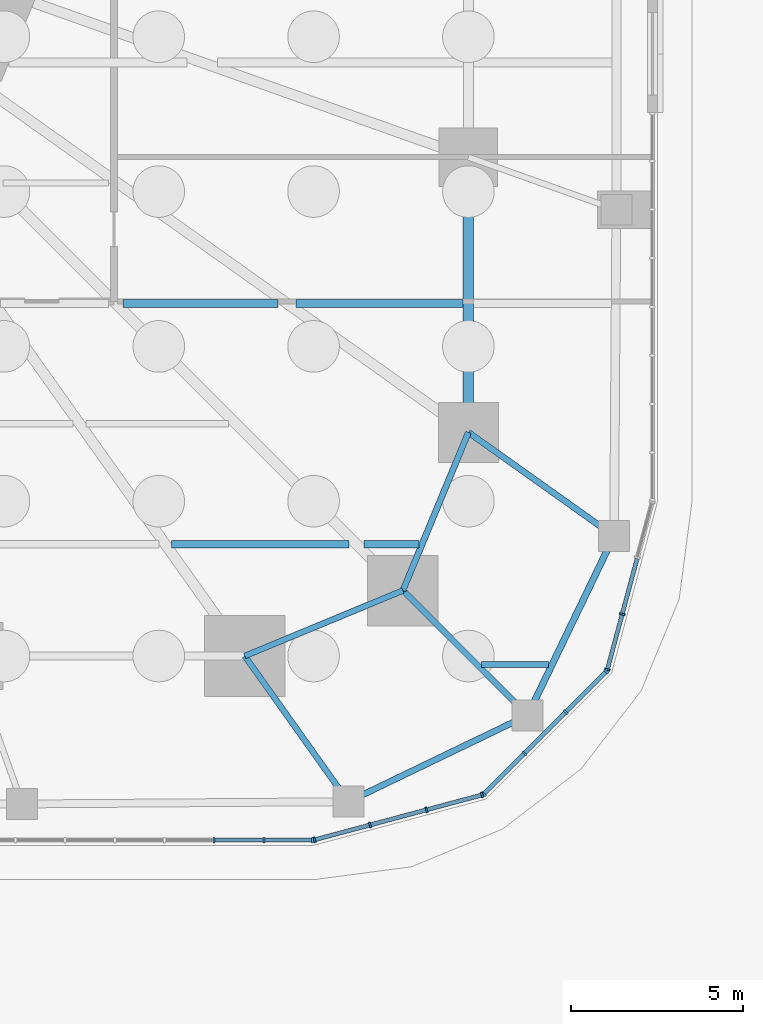
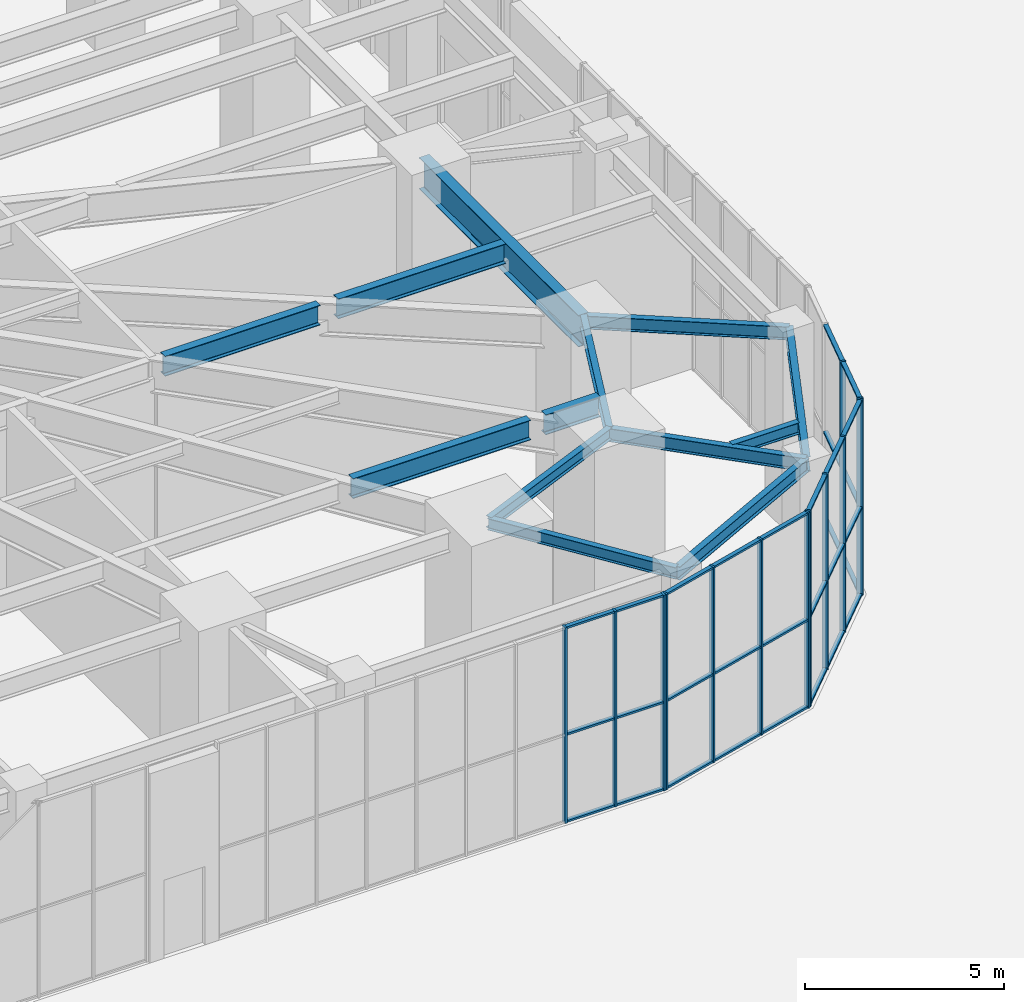
# One storey, part 9 of 43: 43 members, 13 beams, 4 elements without a shape of their own.
"""IFC4 building model written with IfcOpenShell, lengths in metres."""

from ifc_helpers import new_model, si_unit, direction, frame, origin, origin_2d, place, context, subcontext, project, spatial, rectangle, i_section, extrude, material, material_profile, profile_set, type_object, element, aggregate, save


model = new_model("IFC4")

# Units and contexts
model_context = context("Model", 3, precision=1e-05, world=origin(), true_north=direction((0.0, 1.0)))
body_context = subcontext(model_context, "Body", "Model", "MODEL_VIEW")
ifc_project = project(units=[si_unit("LENGTHUNIT", "METRE"), si_unit("AREAUNIT", "SQUARE_METRE"), si_unit("VOLUMEUNIT", "CUBIC_METRE"), si_unit("PLANEANGLEUNIT", "RADIAN"), si_unit("MASSUNIT", "GRAM", prefix="KILO")], contexts=[model_context])

# Site, building, storey
site_placement = place(None, origin())
site = spatial("IfcSite", under=ifc_project, at=site_placement, CompositionType="ELEMENT")
building_placement = place(site_placement, origin())
building = spatial("IfcBuilding", under=site, at=building_placement, Name="Nakasero Lantern House", CompositionType="ELEMENT")
storey_placement = place(building_placement, origin())
storey = spatial("IfcBuildingStorey", under=building, at=storey_placement, Name="L00", CompositionType="ELEMENT", Elevation=0.0)

# Beams
ifc_material_1 = material(Name="Steel S355", Category="steel")
ifc_material_profile_1 = material_profile(ifc_material_1, i_section(OverallWidth=0.17138671875, OverallDepth=0.35498046875, WebThickness=0.00732421875, FlangeThickness=0.011474609375, FilletRadius=0.01025390625, at=origin_2d()), Name="UB 356x171x51")
ifc_profile_set_1 = profile_set([ifc_material_profile_1], Name="Steel S355")
beam_type_1 = type_object("IfcBeamType", Name="Infill beam UB 356x171x51", PredefinedType="JOIST", material=ifc_profile_set_1)
beam_1_placement = place(storey_placement, frame((22.875732421875, -22.75, 5.62255859375), z_axis=(1.0, 0.0, 0.0), x_axis=(0.0, 1.0, 0.0)))
element("IfcBeam", 1, at=beam_1_placement, inside=storey, type_object=beam_type_1, Name="Infill beam L01 02.2", PredefinedType="JOIST", context=body_context, shape_type="SweptSolid", body=[
    extrude(i_section(OverallWidth=0.17138671875, OverallDepth=0.35498046875, WebThickness=0.00732421875, FlangeThickness=0.011474609375, FilletRadius=0.01025390625, at=origin_2d()), origin(), (0.0, 0.0, 1.0), 1.950927734375),
])
ifc_material_2 = material(Name="Steel S355", Category="steel")
ifc_material_profile_2 = material_profile(ifc_material_2, i_section(OverallWidth=0.22900390625, OverallDepth=0.6123046875, WebThickness=0.011962890625, FlangeThickness=0.01953125, FilletRadius=0.0126953125, at=origin_2d()), Name="UB 610x229x125")
ifc_profile_set_2 = profile_set([ifc_material_profile_2], Name="Steel S355")
beam_type_2 = type_object("IfcBeamType", Name="Infill beam UB 610x229x125", PredefinedType="JOIST", material=ifc_profile_set_2)
beam_2_placement = place(storey_placement, frame((13.876220703125, -19.25, 5.493896484375), z_axis=(1.0, 0.0, 0.0), x_axis=(0.0, 1.0, 0.0)))
element("IfcBeam", 2, at=beam_2_placement, inside=storey, type_object=beam_type_2, Name="Infill beam L01 03.7", PredefinedType="JOIST", context=body_context, shape_type="SweptSolid", body=[
    extrude(i_section(OverallWidth=0.22900390625, OverallDepth=0.6123046875, WebThickness=0.011962890625, FlangeThickness=0.01953125, FilletRadius=0.0126953125, at=origin_2d()), origin(), (0.0, 0.0, 1.0), 5.15771484375),
])
beam_3_placement = place(storey_placement, frame((19.466064453125, -19.25, 5.493896484375), z_axis=(1.0, 0.0, 0.0), x_axis=(0.0, 1.0, 0.0)))
element("IfcBeam", 3, at=beam_3_placement, inside=storey, type_object=beam_type_2, Name="Infill beam L01 03.8", PredefinedType="JOIST", context=body_context, shape_type="SweptSolid", body=[
    extrude(i_section(OverallWidth=0.22900390625, OverallDepth=0.6123046875, WebThickness=0.011962890625, FlangeThickness=0.01953125, FilletRadius=0.0126953125, at=origin_2d()), origin(), (0.0, 0.0, 1.0), 1.591552734375),
])
beam_4_placement = place(storey_placement, frame((12.466064453125, -12.25, 5.493896484375), z_axis=(1.0, 0.0, 0.0), x_axis=(0.0, 1.0, 0.0)))
element("IfcBeam", 4, at=beam_4_placement, inside=storey, type_object=beam_type_2, Name="Infill beam L01 05.10", PredefinedType="JOIST", context=body_context, shape_type="SweptSolid", body=[
    extrude(i_section(OverallWidth=0.22900390625, OverallDepth=0.6123046875, WebThickness=0.011962890625, FlangeThickness=0.01953125, FilletRadius=0.0126953125, at=origin_2d()), origin(), (0.0, 0.0, 1.0), 4.4990234375),
])
beam_5_placement = place(storey_placement, frame((17.488037109375, -12.25, 5.493896484375), z_axis=(1.0, 0.0, 0.0), x_axis=(0.0, 1.0, 0.0)))
element("IfcBeam", 5, at=beam_5_placement, inside=storey, type_object=beam_type_2, Name="Infill beam L01 05.11", PredefinedType="JOIST", context=body_context, shape_type="SweptSolid", body=[
    extrude(i_section(OverallWidth=0.22900390625, OverallDepth=0.6123046875, WebThickness=0.011962890625, FlangeThickness=0.01953125, FilletRadius=0.0126953125, at=origin_2d()), origin(), (0.0, 0.0, 1.0), 4.862060546875),
])

# Curtain wall, members
ifc_material_3 = material(Name="Aluminium 6063-T6 and glass", Category="aluminium")
curtain_wall_type = type_object("IfcCurtainWallType", Name="Podium shopfront glazing CW-1", PredefinedType="USERDEFINED", material=ifc_material_3)
curtain_wall_1_placement = place(storey_placement, origin())
curtain_wall_1 = element("IfcCurtainWall", 6, at=curtain_wall_1_placement, inside=storey, type_object=curtain_wall_type, Name="Curtain wall CW-1 L00", ObjectType="STICK CURTAIN WALL", PredefinedType="USERDEFINED")
ifc_material_4 = material(Name="Aluminium 6063-T6", Category="aluminium")
ifc_material_profile_3 = material_profile(ifc_material_4, rectangle(XDim=0.06005859375, YDim=0.159912109375, at=origin_2d()), Name="CW-1 mullion 60x160")
ifc_profile_set_3 = profile_set([ifc_material_profile_3], Name="Aluminium 6063-T6")
member_type_1 = type_object("IfcMemberType", Name="Mullion CW-1", PredefinedType="MULLION", material=ifc_profile_set_3)
member_1_placement = place(storey_placement, frame((15.111083984375, -27.85009765625, 0.0), z_axis=(0.0, 0.0, 1.0), x_axis=(1.0, 0.0, 0.0)))
member_1 = element("IfcMember", 7, at=member_1_placement, type_object=member_type_1, Name="CW-1 mullion 8", PredefinedType="MULLION", context=body_context, shape_type="SweptSolid", body=[
    extrude(rectangle(XDim=0.06005859375, YDim=0.159912109375, at=origin_2d()), origin(), (0.0, 0.0, 1.0), 6.0),
])
member_2_placement = place(storey_placement, frame((16.5556640625, -27.85009765625, 0.0), z_axis=(0.0, 0.0, 1.0), x_axis=(1.0, 0.0, 0.0)))
member_2 = element("IfcMember", 8, at=member_2_placement, type_object=member_type_1, Name="CW-1 mullion 9", PredefinedType="MULLION", context=body_context, shape_type="SweptSolid", body=[
    extrude(rectangle(XDim=0.06005859375, YDim=0.159912109375, at=origin_2d()), origin(), (0.0, 0.0, 1.0), 6.0),
])
member_3_placement = place(storey_placement, frame((17.969970703125, -27.85009765625, 0.0), z_axis=(0.0, 0.0, 1.0), x_axis=(1.0, 0.0, 0.0)))
member_3 = element("IfcMember", 9, at=member_3_placement, type_object=member_type_1, Name="CW-1 mullion 10", PredefinedType="MULLION", context=body_context, shape_type="SweptSolid", body=[
    extrude(rectangle(XDim=0.06005859375, YDim=0.159912109375, at=origin_2d()), origin(), (0.0, 0.0, 1.0), 6.0),
])

curtain_wall_2_placement = place(storey_placement, origin())
curtain_wall_2 = element("IfcCurtainWall", 10, at=curtain_wall_2_placement, inside=storey, type_object=curtain_wall_type, Name="Curtain wall CW-1 L00", ObjectType="STICK CURTAIN WALL", PredefinedType="USERDEFINED")
member_4_placement = place(storey_placement, frame((18.029052734375, -27.84228515625, 0.0), z_axis=(0.0, 0.0, 1.0), x_axis=(0.965925826289, 0.258819045103, 0.0)))
member_4 = element("IfcMember", 11, at=member_4_placement, type_object=member_type_1, Name="CW-1 mullion 1", PredefinedType="MULLION", context=body_context, shape_type="SweptSolid", body=[
    extrude(rectangle(XDim=0.06005859375, YDim=0.159912109375, at=origin_2d()), origin(), (0.0, 0.0, 1.0), 6.0),
])
member_5_placement = place(storey_placement, frame((19.6416015625, -27.41015625, 0.0), z_axis=(0.0, 0.0, 1.0), x_axis=(0.965925826289, 0.258819045103, 0.0)))
member_5 = element("IfcMember", 12, at=member_5_placement, type_object=member_type_1, Name="CW-1 mullion 2", PredefinedType="MULLION", context=body_context, shape_type="SweptSolid", body=[
    extrude(rectangle(XDim=0.06005859375, YDim=0.159912109375, at=origin_2d()), origin(), (0.0, 0.0, 1.0), 6.0),
])
member_6_placement = place(storey_placement, frame((21.283447265625, -26.97021484375, 0.0), z_axis=(0.0, 0.0, 1.0), x_axis=(0.965925826289, 0.258819045103, 0.0)))
member_6 = element("IfcMember", 13, at=member_6_placement, type_object=member_type_1, Name="CW-1 mullion 3", PredefinedType="MULLION", context=body_context, shape_type="SweptSolid", body=[
    extrude(rectangle(XDim=0.06005859375, YDim=0.159912109375, at=origin_2d()), origin(), (0.0, 0.0, 1.0), 6.0),
])
member_7_placement = place(storey_placement, frame((22.89599609375, -26.5380859375, 0.0), z_axis=(0.0, 0.0, 1.0), x_axis=(0.965925826289, 0.258819045103, 0.0)))
member_7 = element("IfcMember", 14, at=member_7_placement, type_object=member_type_1, Name="CW-1 mullion 4", PredefinedType="MULLION", context=body_context, shape_type="SweptSolid", body=[
    extrude(rectangle(XDim=0.06005859375, YDim=0.159912109375, at=origin_2d()), origin(), (0.0, 0.0, 1.0), 6.0),
])

curtain_wall_3_placement = place(storey_placement, origin())
curtain_wall_3 = element("IfcCurtainWall", 15, at=curtain_wall_3_placement, inside=storey, type_object=curtain_wall_type, Name="Curtain wall CW-1 L00", ObjectType="STICK CURTAIN WALL", PredefinedType="USERDEFINED")
member_8_placement = place(storey_placement, frame((22.9462890625, -26.509033203125, 0.0), z_axis=(0.0, 0.0, 1.0), x_axis=(0.707106781187, 0.707106781187, 0.0)))
member_8 = element("IfcMember", 16, at=member_8_placement, type_object=member_type_1, Name="CW-1 mullion 1", PredefinedType="MULLION", context=body_context, shape_type="SweptSolid", body=[
    extrude(rectangle(XDim=0.06005859375, YDim=0.159912109375, at=origin_2d()), origin(), (0.0, 0.0, 1.0), 6.0),
])
member_9_placement = place(storey_placement, frame((24.126708984375, -25.32861328125, 0.0), z_axis=(0.0, 0.0, 1.0), x_axis=(0.707106781187, 0.707106781187, 0.0)))
member_9 = element("IfcMember", 17, at=member_9_placement, type_object=member_type_1, Name="CW-1 mullion 2", PredefinedType="MULLION", context=body_context, shape_type="SweptSolid", body=[
    extrude(rectangle(XDim=0.06005859375, YDim=0.159912109375, at=origin_2d()), origin(), (0.0, 0.0, 1.0), 6.0),
])
member_10_placement = place(storey_placement, frame((25.32861328125, -24.126708984375, 0.0), z_axis=(0.0, 0.0, 1.0), x_axis=(0.707106781187, 0.707106781187, 0.0)))
member_10 = element("IfcMember", 18, at=member_10_placement, type_object=member_type_1, Name="CW-1 mullion 3", PredefinedType="MULLION", context=body_context, shape_type="SweptSolid", body=[
    extrude(rectangle(XDim=0.06005859375, YDim=0.159912109375, at=origin_2d()), origin(), (0.0, 0.0, 1.0), 6.0),
])
member_11_placement = place(storey_placement, frame((26.509033203125, -22.9462890625, 0.0), z_axis=(0.0, 0.0, 1.0), x_axis=(0.707106781187, 0.707106781187, 0.0)))
member_11 = element("IfcMember", 19, at=member_11_placement, type_object=member_type_1, Name="CW-1 mullion 4", PredefinedType="MULLION", context=body_context, shape_type="SweptSolid", body=[
    extrude(rectangle(XDim=0.06005859375, YDim=0.159912109375, at=origin_2d()), origin(), (0.0, 0.0, 1.0), 6.0),
])

curtain_wall_4_placement = place(storey_placement, origin())
curtain_wall_4 = element("IfcCurtainWall", 20, at=curtain_wall_4_placement, inside=storey, type_object=curtain_wall_type, Name="Curtain wall CW-1 L00", ObjectType="STICK CURTAIN WALL", PredefinedType="USERDEFINED")
member_12_placement = place(storey_placement, frame((26.5380859375, -22.89599609375, 0.0), z_axis=(0.0, 0.0, 1.0), x_axis=(0.258819045103, 0.965925826289, 0.0)))
member_12 = element("IfcMember", 21, at=member_12_placement, type_object=member_type_1, Name="CW-1 mullion 1", PredefinedType="MULLION", context=body_context, shape_type="SweptSolid", body=[
    extrude(rectangle(XDim=0.06005859375, YDim=0.159912109375, at=origin_2d()), origin(), (0.0, 0.0, 1.0), 6.0),
])
member_13_placement = place(storey_placement, frame((26.97021484375, -21.283447265625, 0.0), z_axis=(0.0, 0.0, 1.0), x_axis=(0.258819045103, 0.965925826289, 0.0)))
member_13 = element("IfcMember", 22, at=member_13_placement, type_object=member_type_1, Name="CW-1 mullion 2", PredefinedType="MULLION", context=body_context, shape_type="SweptSolid", body=[
    extrude(rectangle(XDim=0.06005859375, YDim=0.159912109375, at=origin_2d()), origin(), (0.0, 0.0, 1.0), 6.0),
])

# Beams
ifc_material_5 = material(Name="Steel S355", Category="steel")
ifc_material_profile_4 = material_profile(ifc_material_5, i_section(OverallWidth=0.17138671875, OverallDepth=0.35498046875, WebThickness=0.00732421875, FlangeThickness=0.011474609375, FilletRadius=0.01025390625, at=origin_2d()), Name="UB 356x171x51")
ifc_profile_set_4 = profile_set([ifc_material_profile_4], Name="Steel S355")
beam_type_3 = type_object("IfcBeamType", Name="Primary beam UB 356x171x51, span to 6 m", PredefinedType="BEAM", material=ifc_profile_set_4)
beam_6_placement = place(storey_placement, frame((19.0107421875, -26.733642578125, 5.62255859375), z_axis=(-0.57954320692, 0.814941514044, 0.0), x_axis=(-0.814941514044, -0.57954320692, 0.0)))
element("IfcBeam", 23, at=beam_6_placement, inside=storey, type_object=beam_type_3, Name="Primary beam L01 POD-C23", PredefinedType="BEAM", context=body_context, shape_type="SweptSolid", body=[
    extrude(i_section(OverallWidth=0.17138671875, OverallDepth=0.35498046875, WebThickness=0.00732421875, FlangeThickness=0.011474609375, FilletRadius=0.01025390625, at=origin_2d()), origin(), (0.0, 0.0, 1.0), 5.195068359375),
])
ifc_material_6 = material(Name="Steel S355", Category="steel")
ifc_material_profile_5 = material_profile(ifc_material_6, i_section(OverallWidth=0.177978515625, OverallDepth=0.406494140625, WebThickness=0.0078125, FlangeThickness=0.0126953125, FilletRadius=0.01025390625, at=origin_2d()), Name="UB 406x178x60")
ifc_profile_set_5 = profile_set([ifc_material_profile_5], Name="Steel S355")
beam_type_4 = type_object("IfcBeamType", Name="Primary beam UB 406x178x60, span to 6 m", PredefinedType="BEAM", material=ifc_profile_set_5)
beam_7_placement = place(storey_placement, frame((26.733642578125, -19.0107421875, 5.5966796875), z_axis=(-0.814941514044, 0.57954320692, 0.0), x_axis=(-0.57954320692, -0.814941514044, 0.0)))
element("IfcBeam", 24, at=beam_7_placement, inside=storey, type_object=beam_type_4, Name="Primary beam L01 POD-C01", PredefinedType="BEAM", context=body_context, shape_type="SweptSolid", body=[
    extrude(i_section(OverallWidth=0.177978515625, OverallDepth=0.406494140625, WebThickness=0.0078125, FlangeThickness=0.0126953125, FilletRadius=0.01025390625, at=origin_2d()), origin(), (0.0, 0.0, 1.0), 5.195068359375),
])
beam_8_placement = place(storey_placement, frame((24.22265625, -24.22265625, 5.5966796875), z_axis=(-0.707106781187, 0.707106781187, 0.0), x_axis=(-0.707106781187, -0.707106781187, 0.0)))
element("IfcBeam", 25, at=beam_8_placement, inside=storey, type_object=beam_type_4, Name="Primary beam L01 POD-C24", PredefinedType="BEAM", context=body_context, shape_type="SweptSolid", body=[
    extrude(i_section(OverallWidth=0.177978515625, OverallDepth=0.406494140625, WebThickness=0.0078125, FlangeThickness=0.0126953125, FilletRadius=0.01025390625, at=origin_2d()), origin(), (0.0, 0.0, 1.0), 5.128662109375),
])
ifc_material_7 = material(Name="Steel S355", Category="steel")
ifc_material_profile_6 = material_profile(ifc_material_7, i_section(OverallWidth=0.300048828125, OverallDepth=0.97021484375, WebThickness=0.01611328125, FlangeThickness=0.02099609375, FilletRadius=0.030029296875, at=origin_2d()), Name="UB 1016x305x222")
ifc_profile_set_6 = profile_set([ifc_material_profile_6], Name="Steel S355")
beam_type_5 = type_object("IfcBeamType", Name="Ring beam UB 1016x305x222", PredefinedType="BEAM", material=ifc_profile_set_6)
beam_9_placement = place(storey_placement, frame((22.5, -16.0, 5.31494140625), z_axis=(0.0, 1.0, 0.0), x_axis=(-1.0, 0.0, 0.0)))
element("IfcBeam", 26, at=beam_9_placement, inside=storey, type_object=beam_type_5, Name="Ring beam L01 B1-C01", PredefinedType="BEAM", context=body_context, shape_type="SweptSolid", body=[
    extrude(i_section(OverallWidth=0.300048828125, OverallDepth=0.97021484375, WebThickness=0.01611328125, FlangeThickness=0.02099609375, FilletRadius=0.030029296875, at=origin_2d()), origin(), (0.0, 0.0, 1.0), 8.0),
])
ifc_material_8 = material(Name="Steel S355", Category="steel")
ifc_material_profile_7 = material_profile(ifc_material_8, i_section(OverallWidth=0.17138671875, OverallDepth=0.35498046875, WebThickness=0.00732421875, FlangeThickness=0.011474609375, FilletRadius=0.01025390625, at=origin_2d()), Name="UB 356x171x51")
ifc_profile_set_7 = profile_set([ifc_material_profile_7], Name="Steel S355")
beam_type_6 = type_object("IfcBeamType", Name="Ring beam UB 356x171x51", PredefinedType="BEAM", material=ifc_profile_set_7)
beam_10_placement = place(storey_placement, frame((16.0, -22.5, 5.62255859375), z_axis=(0.923879264016, 0.382684080569, 0.0), x_axis=(-0.382684080569, 0.923879264016, 0.0)))
element("IfcBeam", 27, at=beam_10_placement, inside=storey, type_object=beam_type_6, Name="Ring beam L01 B1-C23", PredefinedType="BEAM", context=body_context, shape_type="SweptSolid", body=[
    extrude(i_section(OverallWidth=0.17138671875, OverallDepth=0.35498046875, WebThickness=0.00732421875, FlangeThickness=0.011474609375, FilletRadius=0.01025390625, at=origin_2d()), origin(), (0.0, 0.0, 1.0), 4.974853515625),
])
ifc_material_9 = material(Name="Steel S355", Category="steel")
ifc_material_profile_8 = material_profile(ifc_material_9, i_section(OverallWidth=0.177978515625, OverallDepth=0.406494140625, WebThickness=0.0078125, FlangeThickness=0.0126953125, FilletRadius=0.01025390625, at=origin_2d()), Name="UB 406x178x60")
ifc_profile_set_8 = profile_set([ifc_material_profile_8], Name="Steel S355")
beam_type_7 = type_object("IfcBeamType", Name="Ring beam UB 406x178x60", PredefinedType="BEAM", material=ifc_profile_set_8)
beam_11_placement = place(storey_placement, frame((20.59619140625, -20.59619140625, 5.5966796875), z_axis=(0.382684080569, 0.923879264016, 0.0), x_axis=(-0.923879264016, 0.382684080569, 0.0)))
element("IfcBeam", 28, at=beam_11_placement, inside=storey, type_object=beam_type_7, Name="Ring beam L01 B1-C24", PredefinedType="BEAM", context=body_context, shape_type="SweptSolid", body=[
    extrude(i_section(OverallWidth=0.177978515625, OverallDepth=0.406494140625, WebThickness=0.0078125, FlangeThickness=0.0126953125, FilletRadius=0.01025390625, at=origin_2d()), origin(), (0.0, 0.0, 1.0), 4.974853515625),
])
beam_12_placement = place(storey_placement, frame((19.0107421875, -26.733642578125, 5.5966796875), z_axis=(0.900897176145, 0.434032577134, 0.0), x_axis=(-0.434032577134, 0.900897176145, 0.0)))
element("IfcBeam", 29, at=beam_12_placement, inside=storey, type_object=beam_type_7, Name="Ring beam L01 POD-C23", PredefinedType="BEAM", context=body_context, shape_type="SweptSolid", body=[
    extrude(i_section(OverallWidth=0.177978515625, OverallDepth=0.406494140625, WebThickness=0.0078125, FlangeThickness=0.0126953125, FilletRadius=0.01025390625, at=origin_2d()), origin(), (0.0, 0.0, 1.0), 5.78515625),
])
ifc_material_10 = material(Name="Steel S355", Category="steel")
ifc_material_profile_9 = material_profile(ifc_material_10, i_section(OverallWidth=0.18994140625, OverallDepth=0.453369140625, WebThickness=0.008544921875, FlangeThickness=0.0126953125, FilletRadius=0.01025390625, at=origin_2d()), Name="UB 457x191x67")
ifc_profile_set_9 = profile_set([ifc_material_profile_9], Name="Steel S355")
beam_type_8 = type_object("IfcBeamType", Name="Ring beam UB 457x191x67", PredefinedType="BEAM", material=ifc_profile_set_9)
beam_13_placement = place(storey_placement, frame((24.22265625, -24.22265625, 5.5732421875), z_axis=(0.434032577134, 0.900897176145, 0.0), x_axis=(-0.900897176145, 0.434032577134, 0.0)))
element("IfcBeam", 30, at=beam_13_placement, inside=storey, type_object=beam_type_8, Name="Ring beam L01 POD-C24", PredefinedType="BEAM", context=body_context, shape_type="SweptSolid", body=[
    extrude(i_section(OverallWidth=0.18994140625, OverallDepth=0.453369140625, WebThickness=0.008544921875, FlangeThickness=0.0126953125, FilletRadius=0.01025390625, at=origin_2d()), origin(), (0.0, 0.0, 1.0), 5.78515625),
])

# Member
ifc_material_11 = material(Name="Aluminium 6063-T6", Category="aluminium")
ifc_material_profile_10 = material_profile(ifc_material_11, rectangle(XDim=0.06005859375, YDim=0.1201171875, at=origin_2d()), Name="CW-1 transom 60x120")
ifc_profile_set_10 = profile_set([ifc_material_profile_10], Name="Aluminium 6063-T6")
member_type_2 = type_object("IfcMemberType", Name="Transom CW-1", PredefinedType="USERDEFINED", material=ifc_profile_set_10)
member_14_placement = place(storey_placement, frame((15.14111328125, -27.85009765625, 0.030029296875), z_axis=(1.0, 0.0, 0.0), x_axis=(0.0, 0.0, 1.0)))
member_14 = element("IfcMember", 31, at=member_14_placement, type_object=member_type_2, Name="CW-1 transom 8.1", ObjectType="TRANSOM", PredefinedType="USERDEFINED", context=body_context, shape_type="SweptSolid", body=[
    extrude(rectangle(XDim=0.06005859375, YDim=0.1201171875, at=origin_2d()), origin(), (0.0, 0.0, 1.0), 1.384521484375),
])

member_15_placement = place(storey_placement, frame((15.14111328125, -27.85009765625, 2.699951171875), z_axis=(1.0, 0.0, 0.0), x_axis=(0.0, 0.0, 1.0)))
member_15 = element("IfcMember", 32, at=member_15_placement, type_object=member_type_2, Name="CW-1 transom 8.2", ObjectType="TRANSOM", PredefinedType="USERDEFINED", context=body_context, shape_type="SweptSolid", body=[
    extrude(rectangle(XDim=0.06005859375, YDim=0.1201171875, at=origin_2d()), origin(), (0.0, 0.0, 1.0), 1.384521484375),
])

member_16_placement = place(storey_placement, frame((15.14111328125, -27.85009765625, 5.969970703125), z_axis=(1.0, 0.0, 0.0), x_axis=(0.0, 0.0, 1.0)))
member_16 = element("IfcMember", 33, at=member_16_placement, type_object=member_type_2, Name="CW-1 transom 8.3", ObjectType="TRANSOM", PredefinedType="USERDEFINED", context=body_context, shape_type="SweptSolid", body=[
    extrude(rectangle(XDim=0.06005859375, YDim=0.1201171875, at=origin_2d()), origin(), (0.0, 0.0, 1.0), 1.384521484375),
])

member_17_placement = place(storey_placement, frame((16.58544921875, -27.85009765625, 0.030029296875), z_axis=(1.0, 0.0, 0.0), x_axis=(0.0, 0.0, 1.0)))
member_17 = element("IfcMember", 34, at=member_17_placement, type_object=member_type_2, Name="CW-1 transom 9.1", ObjectType="TRANSOM", PredefinedType="USERDEFINED", context=body_context, shape_type="SweptSolid", body=[
    extrude(rectangle(XDim=0.06005859375, YDim=0.1201171875, at=origin_2d()), origin(), (0.0, 0.0, 1.0), 1.3544921875),
])

member_18_placement = place(storey_placement, frame((16.58544921875, -27.85009765625, 2.699951171875), z_axis=(1.0, 0.0, 0.0), x_axis=(0.0, 0.0, 1.0)))
member_18 = element("IfcMember", 35, at=member_18_placement, type_object=member_type_2, Name="CW-1 transom 9.2", ObjectType="TRANSOM", PredefinedType="USERDEFINED", context=body_context, shape_type="SweptSolid", body=[
    extrude(rectangle(XDim=0.06005859375, YDim=0.1201171875, at=origin_2d()), origin(), (0.0, 0.0, 1.0), 1.3544921875),
])

member_19_placement = place(storey_placement, frame((16.58544921875, -27.85009765625, 5.969970703125), z_axis=(1.0, 0.0, 0.0), x_axis=(0.0, 0.0, 1.0)))
member_19 = element("IfcMember", 36, at=member_19_placement, type_object=member_type_2, Name="CW-1 transom 9.3", ObjectType="TRANSOM", PredefinedType="USERDEFINED", context=body_context, shape_type="SweptSolid", body=[
    extrude(rectangle(XDim=0.06005859375, YDim=0.1201171875, at=origin_2d()), origin(), (0.0, 0.0, 1.0), 1.3544921875),
])

aggregate(curtain_wall_1, [member_1, member_2, member_3, member_14, member_15, member_16, member_17, member_18, member_19])

member_20_placement = place(storey_placement, frame((18.057861328125, -27.83447265625, 0.030029296875), z_axis=(0.96594737463, 0.258738612203, 0.0), x_axis=(0.0, 0.0, 1.0)))
member_20 = element("IfcMember", 37, at=member_20_placement, type_object=member_type_2, Name="CW-1 transom 1.1", ObjectType="TRANSOM", PredefinedType="USERDEFINED", context=body_context, shape_type="SweptSolid", body=[
    extrude(rectangle(XDim=0.06005859375, YDim=0.1201171875, at=origin_2d()), origin(), (0.0, 0.0, 1.0), 1.60986328125),
])

member_21_placement = place(storey_placement, frame((18.057861328125, -27.83447265625, 2.699951171875), z_axis=(0.96594737463, 0.258738612203, 0.0), x_axis=(0.0, 0.0, 1.0)))
member_21 = element("IfcMember", 38, at=member_21_placement, type_object=member_type_2, Name="CW-1 transom 1.2", ObjectType="TRANSOM", PredefinedType="USERDEFINED", context=body_context, shape_type="SweptSolid", body=[
    extrude(rectangle(XDim=0.06005859375, YDim=0.1201171875, at=origin_2d()), origin(), (0.0, 0.0, 1.0), 1.60986328125),
])

member_22_placement = place(storey_placement, frame((18.057861328125, -27.83447265625, 5.969970703125), z_axis=(0.96594737463, 0.258738612203, 0.0), x_axis=(0.0, 0.0, 1.0)))
member_22 = element("IfcMember", 39, at=member_22_placement, type_object=member_type_2, Name="CW-1 transom 1.3", ObjectType="TRANSOM", PredefinedType="USERDEFINED", context=body_context, shape_type="SweptSolid", body=[
    extrude(rectangle(XDim=0.06005859375, YDim=0.1201171875, at=origin_2d()), origin(), (0.0, 0.0, 1.0), 1.60986328125),
])

member_23_placement = place(storey_placement, frame((19.670654296875, -27.40234375, 0.030029296875), z_axis=(0.965932765235, 0.258793147214, 0.0), x_axis=(0.0, 0.0, 1.0)))
member_23 = element("IfcMember", 40, at=member_23_placement, type_object=member_type_2, Name="CW-1 transom 2.1", ObjectType="TRANSOM", PredefinedType="USERDEFINED", context=body_context, shape_type="SweptSolid", body=[
    extrude(rectangle(XDim=0.06005859375, YDim=0.1201171875, at=origin_2d()), origin(), (0.0, 0.0, 1.0), 1.6396484375),
])

member_24_placement = place(storey_placement, frame((19.670654296875, -27.40234375, 2.699951171875), z_axis=(0.965932765235, 0.258793147214, 0.0), x_axis=(0.0, 0.0, 1.0)))
member_24 = element("IfcMember", 41, at=member_24_placement, type_object=member_type_2, Name="CW-1 transom 2.2", ObjectType="TRANSOM", PredefinedType="USERDEFINED", context=body_context, shape_type="SweptSolid", body=[
    extrude(rectangle(XDim=0.06005859375, YDim=0.1201171875, at=origin_2d()), origin(), (0.0, 0.0, 1.0), 1.6396484375),
])

member_25_placement = place(storey_placement, frame((19.670654296875, -27.40234375, 5.969970703125), z_axis=(0.965932765235, 0.258793147214, 0.0), x_axis=(0.0, 0.0, 1.0)))
member_25 = element("IfcMember", 42, at=member_25_placement, type_object=member_type_2, Name="CW-1 transom 2.3", ObjectType="TRANSOM", PredefinedType="USERDEFINED", context=body_context, shape_type="SweptSolid", body=[
    extrude(rectangle(XDim=0.06005859375, YDim=0.1201171875, at=origin_2d()), origin(), (0.0, 0.0, 1.0), 1.6396484375),
])

member_26_placement = place(storey_placement, frame((21.312255859375, -26.96240234375, 0.030029296875), z_axis=(0.965937219158, 0.258776522595, 0.0), x_axis=(0.0, 0.0, 1.0)))
member_26 = element("IfcMember", 43, at=member_26_placement, type_object=member_type_2, Name="CW-1 transom 3.1", ObjectType="TRANSOM", PredefinedType="USERDEFINED", context=body_context, shape_type="SweptSolid", body=[
    extrude(rectangle(XDim=0.06005859375, YDim=0.1201171875, at=origin_2d()), origin(), (0.0, 0.0, 1.0), 1.609619140625),
])

member_27_placement = place(storey_placement, frame((21.312255859375, -26.96240234375, 2.699951171875), z_axis=(0.965937219158, 0.258776522595, 0.0), x_axis=(0.0, 0.0, 1.0)))
member_27 = element("IfcMember", 44, at=member_27_placement, type_object=member_type_2, Name="CW-1 transom 3.2", ObjectType="TRANSOM", PredefinedType="USERDEFINED", context=body_context, shape_type="SweptSolid", body=[
    extrude(rectangle(XDim=0.06005859375, YDim=0.1201171875, at=origin_2d()), origin(), (0.0, 0.0, 1.0), 1.609619140625),
])

member_28_placement = place(storey_placement, frame((21.312255859375, -26.96240234375, 5.969970703125), z_axis=(0.965937219158, 0.258776522595, 0.0), x_axis=(0.0, 0.0, 1.0)))
member_28 = element("IfcMember", 45, at=member_28_placement, type_object=member_type_2, Name="CW-1 transom 3.3", ObjectType="TRANSOM", PredefinedType="USERDEFINED", context=body_context, shape_type="SweptSolid", body=[
    extrude(rectangle(XDim=0.06005859375, YDim=0.1201171875, at=origin_2d()), origin(), (0.0, 0.0, 1.0), 1.609619140625),
])

aggregate(curtain_wall_2, [member_4, member_5, member_6, member_7, member_20, member_21, member_22, member_23, member_24, member_25, member_26, member_27, member_28])

member_29_placement = place(storey_placement, frame((22.967529296875, -26.488037109375, 0.030029296875), z_axis=(0.707030931707, 0.707182622531, 0.0), x_axis=(0.0, 0.0, 1.0)))
member_29 = element("IfcMember", 46, at=member_29_placement, type_object=member_type_2, Name="CW-1 transom 1.1", ObjectType="TRANSOM", PredefinedType="USERDEFINED", context=body_context, shape_type="SweptSolid", body=[
    extrude(rectangle(XDim=0.06005859375, YDim=0.1201171875, at=origin_2d()), origin(), (0.0, 0.0, 1.0), 1.609375),
])

member_30_placement = place(storey_placement, frame((22.967529296875, -26.488037109375, 2.699951171875), z_axis=(0.707030931707, 0.707182622531, 0.0), x_axis=(0.0, 0.0, 1.0)))
member_30 = element("IfcMember", 47, at=member_30_placement, type_object=member_type_2, Name="CW-1 transom 1.2", ObjectType="TRANSOM", PredefinedType="USERDEFINED", context=body_context, shape_type="SweptSolid", body=[
    extrude(rectangle(XDim=0.06005859375, YDim=0.1201171875, at=origin_2d()), origin(), (0.0, 0.0, 1.0), 1.609375),
])

member_31_placement = place(storey_placement, frame((22.967529296875, -26.488037109375, 5.969970703125), z_axis=(0.707030931707, 0.707182622531, 0.0), x_axis=(0.0, 0.0, 1.0)))
member_31 = element("IfcMember", 48, at=member_31_placement, type_object=member_type_2, Name="CW-1 transom 1.3", ObjectType="TRANSOM", PredefinedType="USERDEFINED", context=body_context, shape_type="SweptSolid", body=[
    extrude(rectangle(XDim=0.06005859375, YDim=0.1201171875, at=origin_2d()), origin(), (0.0, 0.0, 1.0), 1.609375),
])

member_32_placement = place(storey_placement, frame((24.14794921875, -25.307373046875, 0.030029296875), z_axis=(0.707106781187, 0.707106781187, 0.0), x_axis=(0.0, 0.0, 1.0)))
member_32 = element("IfcMember", 49, at=member_32_placement, type_object=member_type_2, Name="CW-1 transom 2.1", ObjectType="TRANSOM", PredefinedType="USERDEFINED", context=body_context, shape_type="SweptSolid", body=[
    extrude(rectangle(XDim=0.06005859375, YDim=0.1201171875, at=origin_2d()), origin(), (0.0, 0.0, 1.0), 1.6396484375),
])

member_33_placement = place(storey_placement, frame((24.14794921875, -25.307373046875, 2.699951171875), z_axis=(0.707106781187, 0.707106781187, 0.0), x_axis=(0.0, 0.0, 1.0)))
member_33 = element("IfcMember", 50, at=member_33_placement, type_object=member_type_2, Name="CW-1 transom 2.2", ObjectType="TRANSOM", PredefinedType="USERDEFINED", context=body_context, shape_type="SweptSolid", body=[
    extrude(rectangle(XDim=0.06005859375, YDim=0.1201171875, at=origin_2d()), origin(), (0.0, 0.0, 1.0), 1.6396484375),
])

member_34_placement = place(storey_placement, frame((24.14794921875, -25.307373046875, 5.969970703125), z_axis=(0.707106781187, 0.707106781187, 0.0), x_axis=(0.0, 0.0, 1.0)))
member_34 = element("IfcMember", 51, at=member_34_placement, type_object=member_type_2, Name="CW-1 transom 2.3", ObjectType="TRANSOM", PredefinedType="USERDEFINED", context=body_context, shape_type="SweptSolid", body=[
    extrude(rectangle(XDim=0.06005859375, YDim=0.1201171875, at=origin_2d()), origin(), (0.0, 0.0, 1.0), 1.6396484375),
])

member_35_placement = place(storey_placement, frame((25.349853515625, -24.10546875, 0.030029296875), z_axis=(0.707182622531, 0.707030931707, 0.0), x_axis=(0.0, 0.0, 1.0)))
member_35 = element("IfcMember", 52, at=member_35_placement, type_object=member_type_2, Name="CW-1 transom 3.1", ObjectType="TRANSOM", PredefinedType="USERDEFINED", context=body_context, shape_type="SweptSolid", body=[
    extrude(rectangle(XDim=0.06005859375, YDim=0.1201171875, at=origin_2d()), origin(), (0.0, 0.0, 1.0), 1.609375),
])

member_36_placement = place(storey_placement, frame((25.349853515625, -24.10546875, 2.699951171875), z_axis=(0.707182622531, 0.707030931707, 0.0), x_axis=(0.0, 0.0, 1.0)))
member_36 = element("IfcMember", 53, at=member_36_placement, type_object=member_type_2, Name="CW-1 transom 3.2", ObjectType="TRANSOM", PredefinedType="USERDEFINED", context=body_context, shape_type="SweptSolid", body=[
    extrude(rectangle(XDim=0.06005859375, YDim=0.1201171875, at=origin_2d()), origin(), (0.0, 0.0, 1.0), 1.609375),
])

member_37_placement = place(storey_placement, frame((25.349853515625, -24.10546875, 5.969970703125), z_axis=(0.707182622531, 0.707030931707, 0.0), x_axis=(0.0, 0.0, 1.0)))
member_37 = element("IfcMember", 54, at=member_37_placement, type_object=member_type_2, Name="CW-1 transom 3.3", ObjectType="TRANSOM", PredefinedType="USERDEFINED", context=body_context, shape_type="SweptSolid", body=[
    extrude(rectangle(XDim=0.06005859375, YDim=0.1201171875, at=origin_2d()), origin(), (0.0, 0.0, 1.0), 1.609375),
])

aggregate(curtain_wall_3, [member_8, member_9, member_10, member_11, member_29, member_30, member_31, member_32, member_33, member_34, member_35, member_36, member_37])

member_38_placement = place(storey_placement, frame((26.5458984375, -22.866943359375, 0.030029296875), z_axis=(0.258776522595, 0.965937219158, 0.0), x_axis=(0.0, 0.0, 1.0)))
member_38 = element("IfcMember", 55, at=member_38_placement, type_object=member_type_2, Name="CW-1 transom 1.1", ObjectType="TRANSOM", PredefinedType="USERDEFINED", context=body_context, shape_type="SweptSolid", body=[
    extrude(rectangle(XDim=0.06005859375, YDim=0.1201171875, at=origin_2d()), origin(), (0.0, 0.0, 1.0), 1.609619140625),
])

member_39_placement = place(storey_placement, frame((26.5458984375, -22.866943359375, 2.699951171875), z_axis=(0.258776522595, 0.965937219158, 0.0), x_axis=(0.0, 0.0, 1.0)))
member_39 = element("IfcMember", 56, at=member_39_placement, type_object=member_type_2, Name="CW-1 transom 1.2", ObjectType="TRANSOM", PredefinedType="USERDEFINED", context=body_context, shape_type="SweptSolid", body=[
    extrude(rectangle(XDim=0.06005859375, YDim=0.1201171875, at=origin_2d()), origin(), (0.0, 0.0, 1.0), 1.609619140625),
])

member_40_placement = place(storey_placement, frame((26.5458984375, -22.866943359375, 5.969970703125), z_axis=(0.258776522595, 0.965937219158, 0.0), x_axis=(0.0, 0.0, 1.0)))
member_40 = element("IfcMember", 57, at=member_40_placement, type_object=member_type_2, Name="CW-1 transom 1.3", ObjectType="TRANSOM", PredefinedType="USERDEFINED", context=body_context, shape_type="SweptSolid", body=[
    extrude(rectangle(XDim=0.06005859375, YDim=0.1201171875, at=origin_2d()), origin(), (0.0, 0.0, 1.0), 1.609619140625),
])

member_41_placement = place(storey_placement, frame((26.97802734375, -21.25439453125, 0.030029296875), z_axis=(0.258793147214, 0.965932765235, 0.0), x_axis=(0.0, 0.0, 1.0)))
member_41 = element("IfcMember", 58, at=member_41_placement, type_object=member_type_2, Name="CW-1 transom 2.1", ObjectType="TRANSOM", PredefinedType="USERDEFINED", context=body_context, shape_type="SweptSolid", body=[
    extrude(rectangle(XDim=0.06005859375, YDim=0.1201171875, at=origin_2d()), origin(), (0.0, 0.0, 1.0), 1.6396484375),
])

member_42_placement = place(storey_placement, frame((26.97802734375, -21.25439453125, 2.699951171875), z_axis=(0.258793147214, 0.965932765235, 0.0), x_axis=(0.0, 0.0, 1.0)))
member_42 = element("IfcMember", 59, at=member_42_placement, type_object=member_type_2, Name="CW-1 transom 2.2", ObjectType="TRANSOM", PredefinedType="USERDEFINED", context=body_context, shape_type="SweptSolid", body=[
    extrude(rectangle(XDim=0.06005859375, YDim=0.1201171875, at=origin_2d()), origin(), (0.0, 0.0, 1.0), 1.6396484375),
])

member_43_placement = place(storey_placement, frame((26.97802734375, -21.25439453125, 5.969970703125), z_axis=(0.258793147214, 0.965932765235, 0.0), x_axis=(0.0, 0.0, 1.0)))
member_43 = element("IfcMember", 60, at=member_43_placement, type_object=member_type_2, Name="CW-1 transom 2.3", ObjectType="TRANSOM", PredefinedType="USERDEFINED", context=body_context, shape_type="SweptSolid", body=[
    extrude(rectangle(XDim=0.06005859375, YDim=0.1201171875, at=origin_2d()), origin(), (0.0, 0.0, 1.0), 1.6396484375),
])

aggregate(curtain_wall_4, [member_12, member_13, member_38, member_39, member_40, member_41, member_42, member_43])

save(model, "model.ifc")
